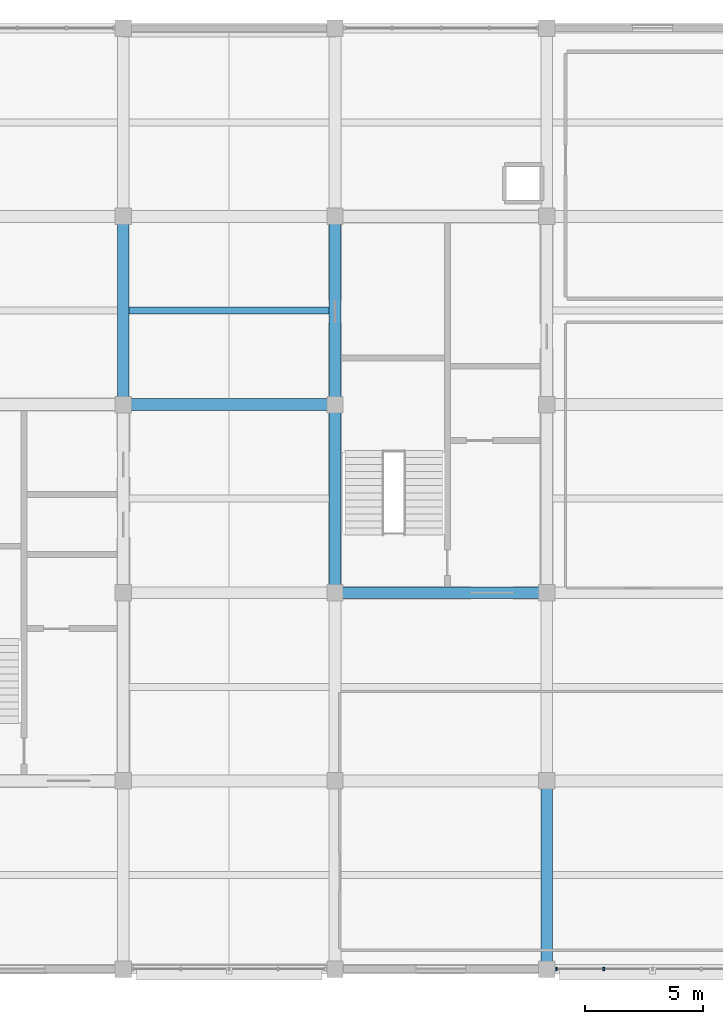
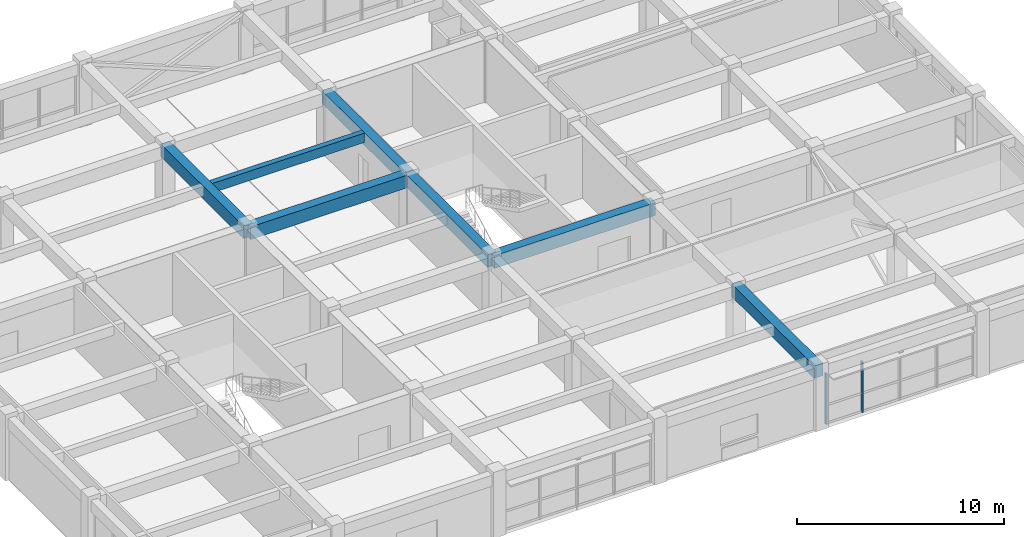
# One storey, part 5 of 13: 7 beams, 2 members, 1 element without a shape of its own.
"""IFC4 building model written with IfcOpenShell, lengths in metres."""

from ifc_helpers import new_model, si_unit, direction, frame, origin, origin_2d, place, context, subcontext, project, spatial, rectangle, extrude, material, material_profile, profile_set, type_object, element, aggregate, save


model = new_model("IFC4")

# Units and contexts
model_context = context("Model", 3, precision=1e-05, world=origin(), true_north=direction((0.0, 1.0)))
body_context = subcontext(model_context, "Body", "Model", "MODEL_VIEW")
ifc_project = project(units=[si_unit("LENGTHUNIT", "METRE"), si_unit("AREAUNIT", "SQUARE_METRE"), si_unit("VOLUMEUNIT", "CUBIC_METRE"), si_unit("PLANEANGLEUNIT", "RADIAN"), si_unit("MASSUNIT", "GRAM", prefix="KILO")], contexts=[model_context])

# Site, building, storey
site_placement = place(None, origin())
site = spatial("IfcSite", under=ifc_project, at=site_placement, CompositionType="ELEMENT")
building_placement = place(site_placement, origin())
building = spatial("IfcBuilding", under=site, at=building_placement, Name="Zaverband Oceanarium and Marine Research Institute", CompositionType="ELEMENT")
storey_placement = place(building_placement, frame((0.0, 0.0, 60.89990234375)))
storey = spatial("IfcBuildingStorey", under=building, at=storey_placement, Name="L15", CompositionType="ELEMENT", Elevation=60.89990234375)

# Beams
ifc_material_1 = material(Name="Concrete C40/50", Category="concrete")
ifc_material_profile_1 = material_profile(ifc_material_1, rectangle(XDim=0.5, YDim=0.75, at=origin_2d()), Name="RC500x750")
ifc_profile_set_1 = profile_set([ifc_material_profile_1], Name="Concrete C40/50")
beam_type_1 = type_object("IfcBeamType", Name="BM-500x750", PredefinedType="BEAM", material=ifc_profile_set_1)
for number, where, z_axis, x_axis, name in (
    (1, (36.0, 88.0, 3.275146484375), (1.0, 0.0, 0.0), (0.0, 1.0, 0.0), "Primary floor girder BM-500x750"),
    (2, (27.0, 96.0, 3.275146484375), (1.0, 0.0, 0.0), (0.0, 1.0, 0.0), "Primary floor girder BM-500x750"),
):
    element("IfcBeam", number, at=place(storey_placement, frame(where, z_axis=z_axis, x_axis=x_axis)), inside=storey, type_object=beam_type_1, Name=name, PredefinedType="BEAM", context=body_context, shape_type="SweptSolid", body=[
        extrude(rectangle(XDim=0.5, YDim=0.75, at=origin_2d()), origin(), (0.0, 0.0, 1.0), 9.0),
    ])
for number, where, z_axis, x_axis, name in (
    (3, (27.0, 96.0, 3.275146484375), (0.0, 1.0, 0.0), (-1.0, 0.0, 0.0), "Primary floor girder BM-500x750"),
    (4, (36.0, 88.0, 3.275146484375), (0.0, 1.0, 0.0), (-1.0, 0.0, 0.0), "Primary floor girder BM-500x750"),
    (5, (36.0, 96.0, 3.275146484375), (0.0, 1.0, 0.0), (-1.0, 0.0, 0.0), "Primary floor girder BM-500x750"),
    (6, (45.0, 72.0, 3.275146484375), (0.0, 1.0, 0.0), (-1.0, 0.0, 0.0), "Primary floor girder BM-500x750"),
):
    element("IfcBeam", number, at=place(storey_placement, frame(where, z_axis=z_axis, x_axis=x_axis)), inside=storey, type_object=beam_type_1, Name=name, PredefinedType="BEAM", context=body_context, shape_type="SweptSolid", body=[
        extrude(rectangle(XDim=0.5, YDim=0.75, at=origin_2d()), origin(), (0.0, 0.0, 1.0), 8.0),
    ])
ifc_material_profile_2 = material_profile(ifc_material_1, rectangle(XDim=0.300048828125, YDim=0.550048828125, at=origin_2d()), Name="RC300x550")
ifc_profile_set_2 = profile_set([ifc_material_profile_2], Name="Concrete C40/50")
beam_type_2 = type_object("IfcBeamType", Name="JST-300x550", PredefinedType="JOIST", material=ifc_profile_set_2)
beam_placement = place(storey_placement, frame((27.25, 100.0, 3.375), z_axis=(1.0, 0.0, 0.0), x_axis=(0.0, 1.0, 0.0)))
element("IfcBeam", 7, at=beam_placement, inside=storey, type_object=beam_type_2, Name="Secondary floor joist JST-300x550", PredefinedType="JOIST", context=body_context, shape_type="SweptSolid", body=[
    extrude(rectangle(XDim=0.300048828125, YDim=0.550048828125, at=origin_2d()), origin(), (0.0, 0.0, 1.0), 8.5),
])

# Curtain wall, members
ifc_material_2 = material(Name="Thermally broken anodized aluminium and solar-control glass", Category="aluminium")
curtain_wall_type = type_object("IfcCurtainWallType", Name="CW-UNIT-1800", PredefinedType="NOTDEFINED", material=ifc_material_2)
curtain_wall_placement = place(storey_placement, origin())
curtain_wall = element("IfcCurtainWall", 8, at=curtain_wall_placement, inside=storey, type_object=curtain_wall_type, Name="Unitised glazed curtain wall CW-158", PredefinedType="NOTDEFINED")
ifc_material_3 = material(Name="Thermally broken anodized aluminium", Category="aluminium")
ifc_material_profile_3 = material_profile(ifc_material_3, rectangle(XDim=0.070068359375, YDim=0.14990234375, at=origin_2d()), Name="AL-MUL-70x150")
ifc_profile_set_3 = profile_set([ifc_material_profile_3], Name="Thermally broken anodized aluminium")
member_type = type_object("IfcMemberType", Name="MUL-70x150", PredefinedType="MULLION", material=ifc_profile_set_3)
member_1_placement = place(storey_placement, frame((45.4150390625, 72.0, 0.0), z_axis=(0.0, 0.0, 1.0), x_axis=(1.0, 0.0, 0.0)))
member_1 = element("IfcMember", 9, at=member_1_placement, type_object=member_type, Name="Curtain wall vertical mullion MUL-70x150", PredefinedType="MULLION", context=body_context, shape_type="SweptSolid", body=[
    extrude(rectangle(XDim=0.070068359375, YDim=0.14990234375, at=origin_2d()), origin(), (0.0, 0.0, 1.0), 2.97998046875),
])
member_2_placement = place(storey_placement, frame((47.427490234375, 72.0, 0.0), z_axis=(0.0, 0.0, 1.0), x_axis=(1.0, 0.0, 0.0)))
member_2 = element("IfcMember", 10, at=member_2_placement, type_object=member_type, Name="Curtain wall vertical mullion MUL-70x150", PredefinedType="MULLION", context=body_context, shape_type="SweptSolid", body=[
    extrude(rectangle(XDim=0.070068359375, YDim=0.14990234375, at=origin_2d()), origin(), (0.0, 0.0, 1.0), 2.97998046875),
])
aggregate(curtain_wall, [member_1, member_2])

save(model, "model.ifc")
